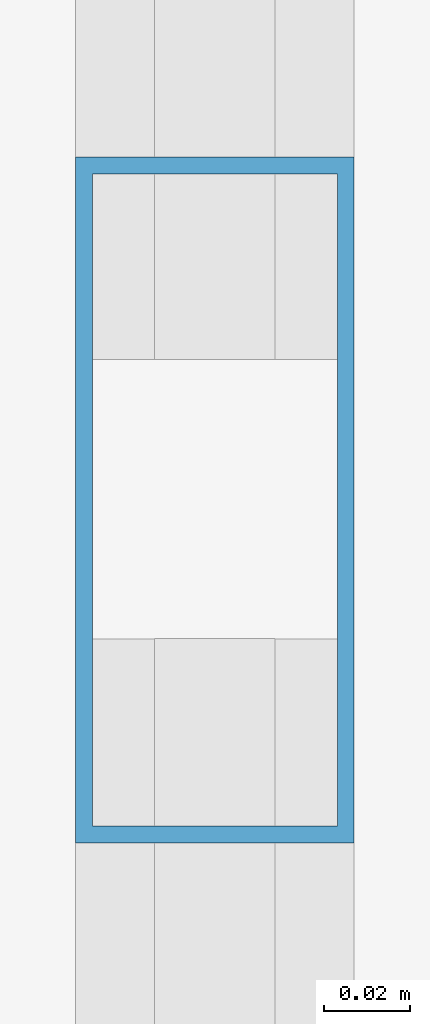
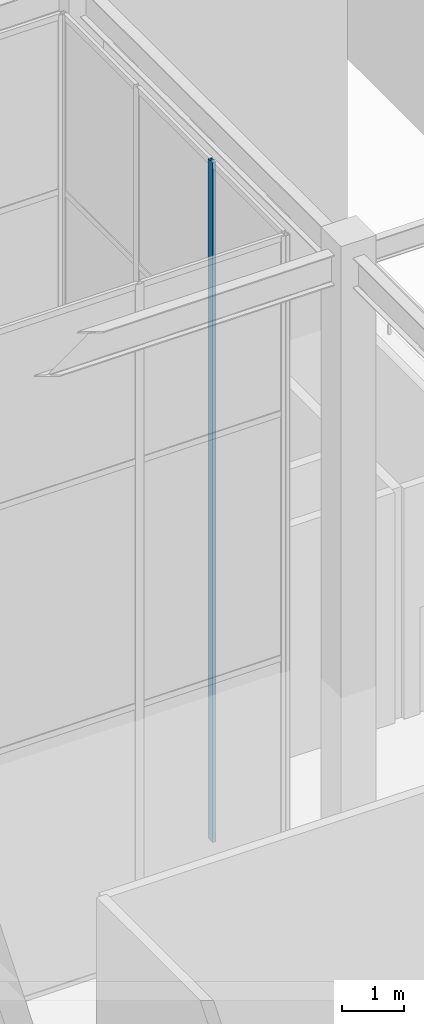
# One storey, part 6 of 15: 1 member, 1 element without a shape of its own.
"""IFC4 building model written with IfcOpenShell, lengths in metres."""

from ifc_helpers import new_model, si_unit, direction, frame, origin, origin_2d, place, context, subcontext, project, spatial, hollow_rectangle, extrude, material, layer, layer_set, material_profile, profile_set, type_object, element, aggregate, save


model = new_model("IFC4")

# Units and contexts
model_context = context("Model", 3, precision=1e-05, world=origin(), true_north=direction((0.0, 1.0)))
body_context = subcontext(model_context, "Body", "Model", "MODEL_VIEW")
ifc_project = project(units=[si_unit("LENGTHUNIT", "METRE"), si_unit("AREAUNIT", "SQUARE_METRE"), si_unit("VOLUMEUNIT", "CUBIC_METRE"), si_unit("PLANEANGLEUNIT", "RADIAN"), si_unit("MASSUNIT", "GRAM", prefix="KILO")], contexts=[model_context])

# Site, building, storey
site_placement = place(None, origin())
site = spatial("IfcSite", under=ifc_project, at=site_placement, CompositionType="ELEMENT")
building_placement = place(site_placement, origin())
building = spatial("IfcBuilding", under=site, at=building_placement, Name="Kundavana Baori Tower", CompositionType="ELEMENT")
storey_placement = place(building_placement, frame((0.0, 0.0, 354.699951171875)))
storey = spatial("IfcBuildingStorey", under=building, at=storey_placement, Name="L88", CompositionType="ELEMENT", Elevation=354.699951171875)

# Curtain wall, member
ifc_material_1 = material(Name="Thermally Broken Anodised Aluminium Framing", Category="aluminium")
ifc_layer = layer(ifc_material_1, 0.25, Name="CW-SYS-7")
ifc_layer_set = layer_set([ifc_layer], Name="Thermally Broken Anodised Aluminium Framing")
curtain_wall_type = type_object("IfcCurtainWallType", Name="CW-SYS-7", PredefinedType="NOTDEFINED", material=ifc_layer_set)
curtain_wall_placement = place(storey_placement, origin())
curtain_wall = element("IfcCurtainWall", 1, at=curtain_wall_placement, inside=storey, type_object=curtain_wall_type, Name="L88 Atrium Glazed Curtain Wall E", PredefinedType="NOTDEFINED")
ifc_material_2 = material(Name="Thermally Broken Anodised Aluminium Framing", Category="aluminium")
ifc_material_profile = material_profile(ifc_material_2, hollow_rectangle(XDim=0.06494140625, YDim=0.159912109375, WallThickness=0.00390625, at=origin_2d()), Name="CW-MULL-160")
ifc_profile_set = profile_set([ifc_material_profile], Name="Thermally Broken Anodised Aluminium Framing")
member_type = type_object("IfcMemberType", Name="CW-MULL-160", PredefinedType="MULLION", material=ifc_profile_set)
member_placement = place(storey_placement, frame((33.10009765625, 27.39990234375, 0.0), z_axis=(0.0, 0.0, 1.0), x_axis=(-1.0, 0.0, 0.0)))
member = element("IfcMember", 2, at=member_placement, type_object=member_type, Name="CW7 mullion 2", PredefinedType="MULLION", context=body_context, shape_type="SweptSolid", body=[
    extrude(hollow_rectangle(XDim=0.06494140625, YDim=0.159912109375, WallThickness=0.00390625, at=origin_2d()), origin(), (0.0, 0.0, 1.0), 13.400146484375),
])
aggregate(curtain_wall, [member])

save(model, "model.ifc")
